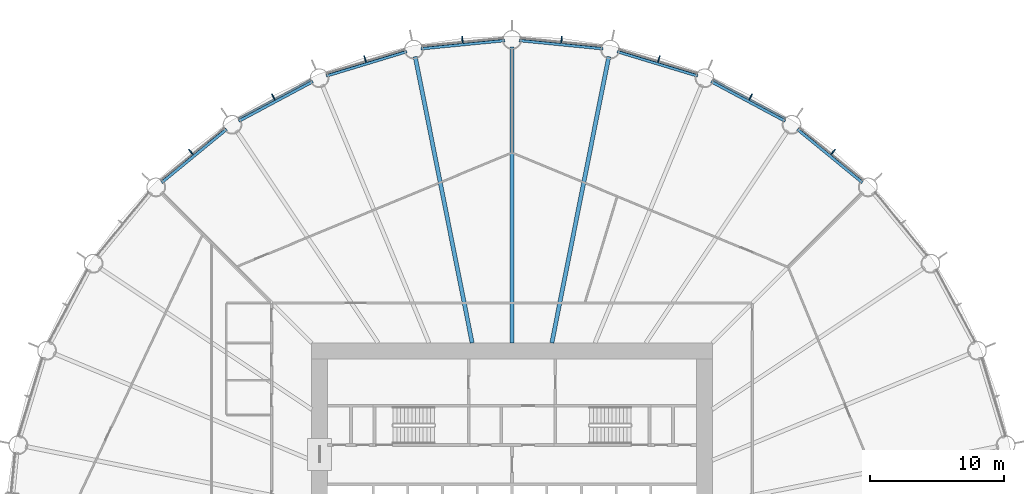
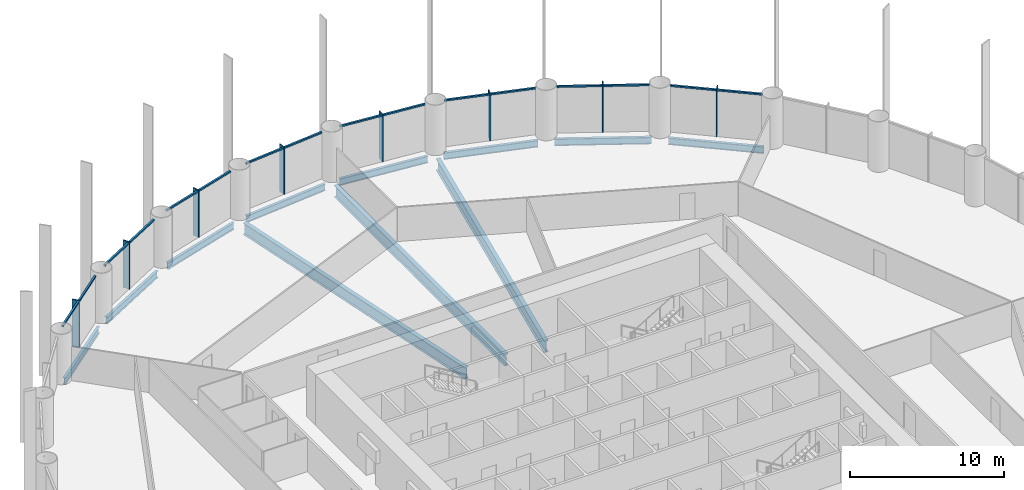
# One storey, part 6 of 15: 24 members, 11 beams, 8 elements without a shape of their own.
"""IFC4 building model written with IfcOpenShell, lengths in metres."""

from ifc_helpers import new_model, si_unit, direction, frame, origin, origin_2d, place, context, subcontext, project, spatial, rectangle, i_section, extrude, material, material_profile, profile_set, type_object, element, aggregate, save


model = new_model("IFC4")

# Units and contexts
model_context = context("Model", 3, precision=1e-05, world=origin(), true_north=direction((0.0, 1.0)))
body_context = subcontext(model_context, "Body", "Model", "MODEL_VIEW")
ifc_project = project(units=[si_unit("LENGTHUNIT", "METRE"), si_unit("AREAUNIT", "SQUARE_METRE"), si_unit("VOLUMEUNIT", "CUBIC_METRE"), si_unit("PLANEANGLEUNIT", "RADIAN"), si_unit("MASSUNIT", "GRAM", prefix="KILO")], contexts=[model_context])

# Site, building, storey
site_placement = place(None, origin())
site = spatial("IfcSite", under=ifc_project, at=site_placement, CompositionType="ELEMENT")
building_placement = place(site_placement, origin())
building = spatial("IfcBuilding", under=site, at=building_placement, Name="Corvane Civic Tower", CompositionType="ELEMENT")
storey_placement = place(building_placement, frame((0.0, 0.0, 65.0)))
storey = spatial("IfcBuildingStorey", under=building, at=storey_placement, Name="L14", CompositionType="ELEMENT", Elevation=65.0)

# Beams
ifc_material_1 = material(Name="Steel ASTM A992 Gr 50", Category="steel")
ifc_material_profile_1 = material_profile(ifc_material_1, i_section(OverallWidth=0.209228515625, OverallDepth=0.533447265625, WebThickness=0.01025390625, FlangeThickness=0.015625, at=origin_2d()), Name="W21X62")
ifc_profile_set_1 = profile_set([ifc_material_profile_1], Name="Steel ASTM A992 Gr 50")
beam_type_1 = type_object("IfcBeamType", Name="EDGE BEAM W21X62", PredefinedType="BEAM", material=ifc_profile_set_1)
beam_1_placement = place(storey_placement, frame((0.54736328125, 37.64599609375, -0.566650390625), z_axis=(0.995186682089, -0.097997284622, 0.0), x_axis=(0.097997284622, 0.995186682089, 0.0)))
element("IfcBeam", 1, at=beam_1_placement, inside=storey, type_object=beam_type_1, Name="BM-L14-E01", PredefinedType="BEAM", context=body_context, shape_type="SweptSolid", body=[
    extrude(i_section(OverallWidth=0.209228515625, OverallDepth=0.533447265625, WebThickness=0.01025390625, FlangeThickness=0.015625, at=origin_2d()), origin(), (0.0, 0.0, 1.0), 6.29052734375),
])
for number, where, z_axis, x_axis, name in (
    (2, (7.88134765625, 36.81591796875, -0.566650390625), (0.956943740748, -0.290273452184, 0.0), (0.290273452184, 0.956943740748, 0.0), "BM-L14-E02"),
    (3, (14.912353515625, 34.571044921875, -0.566650390625), (0.881916367906, -0.471405897311, 0.0), (0.471405897311, 0.881916367906, 0.0), "BM-L14-E03"),
):
    element("IfcBeam", number, at=place(storey_placement, frame(where, z_axis=z_axis, x_axis=x_axis)), inside=storey, type_object=beam_type_1, Name=name, PredefinedType="BEAM", context=body_context, shape_type="SweptSolid", body=[
        extrude(i_section(OverallWidth=0.209228515625, OverallDepth=0.533447265625, WebThickness=0.01025390625, FlangeThickness=0.015625, at=origin_2d()), origin(), (0.0, 0.0, 1.0), 6.290283203125),
    ])
for number, where, z_axis, x_axis, name in (
    (4, (21.3701171875, 30.99755859375, -0.566650390625), (0.773015785286, -0.634386787141, 0.0), (0.634386787141, 0.773015785286, 0.0), "BM-L14-E04"),
    (5, (-26.23291015625, 27.0068359375, -0.566650390625), (0.773015785286, 0.634386787141, 0.0), (-0.634386787141, 0.773015785286, 0.0), "BM-L14-E29"),
):
    element("IfcBeam", number, at=place(storey_placement, frame(where, z_axis=z_axis, x_axis=x_axis)), inside=storey, type_object=beam_type_1, Name=name, PredefinedType="BEAM", context=body_context, shape_type="SweptSolid", body=[
        extrude(i_section(OverallWidth=0.209228515625, OverallDepth=0.533447265625, WebThickness=0.01025390625, FlangeThickness=0.015625, at=origin_2d()), origin(), (0.0, 0.0, 1.0), 6.290771484375),
    ])
for number, where, z_axis, x_axis, name in (
    (6, (-20.4599609375, 31.605712890625, -0.566650390625), (0.881916367906, 0.471405897311, 0.0), (-0.471405897311, 0.881916367906, 0.0), "BM-L14-E30"),
    (7, (-13.90087890625, 34.989990234375, -0.566650390625), (0.956943740748, 0.290273452184, 0.0), (-0.290273452184, 0.956943740748, 0.0), "BM-L14-E31"),
):
    element("IfcBeam", number, at=place(storey_placement, frame(where, z_axis=z_axis, x_axis=x_axis)), inside=storey, type_object=beam_type_1, Name=name, PredefinedType="BEAM", context=body_context, shape_type="SweptSolid", body=[
        extrude(i_section(OverallWidth=0.209228515625, OverallDepth=0.533447265625, WebThickness=0.01025390625, FlangeThickness=0.015625, at=origin_2d()), origin(), (0.0, 0.0, 1.0), 6.290283203125),
    ])
beam_2_placement = place(storey_placement, frame((-6.8076171875, 37.029541015625, -0.566650390625), z_axis=(0.995186682089, 0.097997284622, 0.0), x_axis=(-0.097997284622, 0.995186682089, 0.0)))
element("IfcBeam", 8, at=beam_2_placement, inside=storey, type_object=beam_type_1, Name="BM-L14-E32", PredefinedType="BEAM", context=body_context, shape_type="SweptSolid", body=[
    extrude(i_section(OverallWidth=0.209228515625, OverallDepth=0.533447265625, WebThickness=0.01025390625, FlangeThickness=0.015625, at=origin_2d()), origin(), (0.0, 0.0, 1.0), 6.29052734375),
])
ifc_material_2 = material(Name="Steel ASTM A992 Gr 50", Category="steel")
ifc_material_profile_2 = material_profile(ifc_material_2, i_section(OverallWidth=0.307373046875, OverallDepth=0.927001953125, WebThickness=0.01953125, FlangeThickness=0.031982421875, at=origin_2d()), Name="W36X194")
ifc_profile_set_2 = profile_set([ifc_material_profile_2], Name="Steel ASTM A992 Gr 50")
beam_type_2 = type_object("IfcBeamType", Name="FLOOR GIRDER W36X194", PredefinedType="BEAM", material=ifc_profile_set_2)
beam_3_placement = place(storey_placement, frame((0.0, 15.0, -0.763671875), z_axis=(0.0, 1.0, 0.0), x_axis=(-1.0, 0.0, 0.0)))
element("IfcBeam", 9, at=beam_3_placement, inside=storey, type_object=beam_type_2, Name="BM-L14-G01", PredefinedType="BEAM", context=body_context, shape_type="SweptSolid", body=[
    extrude(i_section(OverallWidth=0.307373046875, OverallDepth=0.927001953125, WebThickness=0.01953125, FlangeThickness=0.031982421875, at=origin_2d()), origin(), (0.0, 0.0, 1.0), 22.14990234375),
])
for number, where, z_axis, x_axis, name in (
    (10, (2.983642578125, 15.0, -0.763671875), (0.195089219638, 0.980785499679, 0.0), (-0.980785499679, 0.195089219638, 0.0), "BM-L14-G02"),
    (11, (-2.983642578125, 15.0, -0.763671875), (-0.195089219638, 0.980785499679, 0.0), (-0.980785499679, -0.195089219638, 0.0), "BM-L14-G32"),
):
    element("IfcBeam", number, at=place(storey_placement, frame(where, z_axis=z_axis, x_axis=x_axis)), inside=storey, type_object=beam_type_2, Name=name, PredefinedType="BEAM", context=body_context, shape_type="SweptSolid", body=[
        extrude(i_section(OverallWidth=0.307373046875, OverallDepth=0.927001953125, WebThickness=0.01953125, FlangeThickness=0.031982421875, at=origin_2d()), origin(), (0.0, 0.0, 1.0), 21.856201171875),
    ])

# Curtain wall, members
ifc_material_3 = material(Name="Anodised aluminium bronze", Category="aluminium")
curtain_wall_type = type_object("IfcCurtainWallType", Name="TOWER CW-T1 STICK CURTAIN WALL", PredefinedType="NOTDEFINED", material=ifc_material_3)
curtain_wall_1_placement = place(storey_placement, origin())
curtain_wall_1 = element("IfcCurtainWall", 12, at=curtain_wall_1_placement, inside=storey, type_object=curtain_wall_type, Name="Curtain wall CW-T1 L14 bay 01", PredefinedType="NOTDEFINED")
ifc_material_4 = material(Name="Anodised aluminium bronze", Category="aluminium")
ifc_material_profile_3 = material_profile(ifc_material_4, rectangle(XDim=0.139892578125, YDim=0.1201171875, at=origin_2d()), Name="TOWER CW-T1 TRANSOM 140x120")
ifc_profile_set_3 = profile_set([ifc_material_profile_3], Name="Anodised aluminium bronze")
member_type_1 = type_object("IfcMemberType", Name="TOWER CW-T1 TRANSOM 140x120", PredefinedType="USERDEFINED", material=ifc_profile_set_3)
member_1_placement = place(storey_placement, frame((0.6611328125, 37.814697265625, 3.68994140625), z_axis=(0.995191836722, -0.097944923917, 0.0), x_axis=(0.097944923917, 0.995191836722, 0.0)))
member_1 = element("IfcMember", 13, at=member_1_placement, type_object=member_type_1, Name="Transom CW-T1 L14 01.1", ObjectType="TRANSOM", PredefinedType="USERDEFINED", context=body_context, shape_type="SweptSolid", body=[
    extrude(rectangle(XDim=0.139892578125, YDim=0.1201171875, at=origin_2d()), origin(), (0.0, 0.0, 1.0), 3.008544921875),
])
member_2_placement = place(storey_placement, frame((3.73486328125, 37.511962890625, 3.68994140625), z_axis=(0.995191836722, -0.097944923917, 0.0), x_axis=(0.097944923917, 0.995191836722, 0.0)))
member_2 = element("IfcMember", 14, at=member_2_placement, type_object=member_type_1, Name="Transom CW-T1 L14 01.2", ObjectType="TRANSOM", PredefinedType="USERDEFINED", context=body_context, shape_type="SweptSolid", body=[
    extrude(rectangle(XDim=0.139892578125, YDim=0.1201171875, at=origin_2d()), origin(), (0.0, 0.0, 1.0), 3.008544921875),
])

curtain_wall_2_placement = place(storey_placement, origin())
curtain_wall_2 = element("IfcCurtainWall", 15, at=curtain_wall_2_placement, inside=storey, type_object=curtain_wall_type, Name="Curtain wall CW-T1 L14 bay 02", PredefinedType="NOTDEFINED")
member_3_placement = place(storey_placement, frame((8.02587890625, 36.959228515625, 3.68994140625), z_axis=(0.956941780555, -0.290279914268, 0.0), x_axis=(0.290279914268, 0.956941780555, 0.0)))
member_3 = element("IfcMember", 16, at=member_3_placement, type_object=member_type_1, Name="Transom CW-T1 L14 02.1", ObjectType="TRANSOM", PredefinedType="USERDEFINED", context=body_context, shape_type="SweptSolid", body=[
    extrude(rectangle(XDim=0.139892578125, YDim=0.1201171875, at=origin_2d()), origin(), (0.0, 0.0, 1.0), 3.008544921875),
])
member_4_placement = place(storey_placement, frame((10.9814453125, 36.062744140625, 3.68994140625), z_axis=(0.956941780555, -0.290279914268, 0.0), x_axis=(0.290279914268, 0.956941780555, 0.0)))
member_4 = element("IfcMember", 17, at=member_4_placement, type_object=member_type_1, Name="Transom CW-T1 L14 02.2", ObjectType="TRANSOM", PredefinedType="USERDEFINED", context=body_context, shape_type="SweptSolid", body=[
    extrude(rectangle(XDim=0.139892578125, YDim=0.1201171875, at=origin_2d()), origin(), (0.0, 0.0, 1.0), 3.008544921875),
])

curtain_wall_3_placement = place(storey_placement, origin())
curtain_wall_3 = element("IfcCurtainWall", 18, at=curtain_wall_3_placement, inside=storey, type_object=curtain_wall_type, Name="Curtain wall CW-T1 L14 bay 03", PredefinedType="NOTDEFINED")
member_5_placement = place(storey_placement, frame((15.08203125, 34.683349609375, 3.68994140625), z_axis=(0.881923525532, -0.471392506424, 0.0), x_axis=(0.471392506424, 0.881923525532, 0.0)))
member_5 = element("IfcMember", 19, at=member_5_placement, type_object=member_type_1, Name="Transom CW-T1 L14 03.1", ObjectType="TRANSOM", PredefinedType="USERDEFINED", context=body_context, shape_type="SweptSolid", body=[
    extrude(rectangle(XDim=0.139892578125, YDim=0.1201171875, at=origin_2d()), origin(), (0.0, 0.0, 1.0), 3.008544921875),
])
member_6_placement = place(storey_placement, frame((17.805908203125, 33.2275390625, 3.68994140625), z_axis=(0.881923525532, -0.471392506424, 0.0), x_axis=(0.471392506424, 0.881923525532, 0.0)))
member_6 = element("IfcMember", 20, at=member_6_placement, type_object=member_type_1, Name="Transom CW-T1 L14 03.2", ObjectType="TRANSOM", PredefinedType="USERDEFINED", context=body_context, shape_type="SweptSolid", body=[
    extrude(rectangle(XDim=0.139892578125, YDim=0.1201171875, at=origin_2d()), origin(), (0.0, 0.0, 1.0), 3.008544921875),
])

curtain_wall_4_placement = place(storey_placement, origin())
curtain_wall_4 = element("IfcCurtainWall", 21, at=curtain_wall_4_placement, inside=storey, type_object=curtain_wall_type, Name="Curtain wall CW-T1 L14 bay 04", PredefinedType="NOTDEFINED")
member_7_placement = place(storey_placement, frame((21.55859375, 31.074462890625, 3.68994140625), z_axis=(0.773041738279, -0.634355161466, 0.0), x_axis=(0.634355161466, 0.773041738279, 0.0)))
member_7 = element("IfcMember", 22, at=member_7_placement, type_object=member_type_1, Name="Transom CW-T1 L14 04.1", ObjectType="TRANSOM", PredefinedType="USERDEFINED", context=body_context, shape_type="SweptSolid", body=[
    extrude(rectangle(XDim=0.139892578125, YDim=0.1201171875, at=origin_2d()), origin(), (0.0, 0.0, 1.0), 3.008544921875),
])
member_8_placement = place(storey_placement, frame((23.946044921875, 29.115234375, 3.68994140625), z_axis=(0.773001943873, -0.634403652865, 0.0), x_axis=(0.634403652865, 0.773001943873, 0.0)))
member_8 = element("IfcMember", 23, at=member_8_placement, type_object=member_type_1, Name="Transom CW-T1 L14 04.2", ObjectType="TRANSOM", PredefinedType="USERDEFINED", context=body_context, shape_type="SweptSolid", body=[
    extrude(rectangle(XDim=0.139892578125, YDim=0.1201171875, at=origin_2d()), origin(), (0.0, 0.0, 1.0), 3.008544921875),
])

curtain_wall_5_placement = place(storey_placement, origin())
curtain_wall_5 = element("IfcCurtainWall", 24, at=curtain_wall_5_placement, inside=storey, type_object=curtain_wall_type, Name="Curtain wall CW-T1 L14 bay 29", PredefinedType="NOTDEFINED")
member_9_placement = place(storey_placement, frame((-26.271728515625, 27.20654296875, 3.68994140625), z_axis=(0.773001943873, 0.634403652865, 0.0), x_axis=(-0.634403652865, 0.773001943873, 0.0)))
member_9 = element("IfcMember", 25, at=member_9_placement, type_object=member_type_1, Name="Transom CW-T1 L14 29.1", ObjectType="TRANSOM", PredefinedType="USERDEFINED", context=body_context, shape_type="SweptSolid", body=[
    extrude(rectangle(XDim=0.139892578125, YDim=0.1201171875, at=origin_2d()), origin(), (0.0, 0.0, 1.0), 3.008544921875),
])
member_10_placement = place(storey_placement, frame((-23.88427734375, 29.166015625, 3.68994140625), z_axis=(0.773041738279, 0.634355161466, 0.0), x_axis=(-0.634355161466, 0.773041738279, 0.0)))
member_10 = element("IfcMember", 26, at=member_10_placement, type_object=member_type_1, Name="Transom CW-T1 L14 29.2", ObjectType="TRANSOM", PredefinedType="USERDEFINED", context=body_context, shape_type="SweptSolid", body=[
    extrude(rectangle(XDim=0.139892578125, YDim=0.1201171875, at=origin_2d()), origin(), (0.0, 0.0, 1.0), 3.008544921875),
])

curtain_wall_6_placement = place(storey_placement, origin())
curtain_wall_6 = element("IfcCurtainWall", 27, at=curtain_wall_6_placement, inside=storey, type_object=curtain_wall_type, Name="Curtain wall CW-T1 L14 bay 30", PredefinedType="NOTDEFINED")
member_11_placement = place(storey_placement, frame((-20.459228515625, 31.809326171875, 3.68994140625), z_axis=(0.881923525532, 0.471392506424, 0.0), x_axis=(-0.471392506424, 0.881923525532, 0.0)))
member_11 = element("IfcMember", 28, at=member_11_placement, type_object=member_type_1, Name="Transom CW-T1 L14 30.1", ObjectType="TRANSOM", PredefinedType="USERDEFINED", context=body_context, shape_type="SweptSolid", body=[
    extrude(rectangle(XDim=0.139892578125, YDim=0.1201171875, at=origin_2d()), origin(), (0.0, 0.0, 1.0), 3.008544921875),
])
member_12_placement = place(storey_placement, frame((-17.7353515625, 33.26513671875, 3.68994140625), z_axis=(0.881923525532, 0.471392506424, 0.0), x_axis=(-0.471392506424, 0.881923525532, 0.0)))
member_12 = element("IfcMember", 29, at=member_12_placement, type_object=member_type_1, Name="Transom CW-T1 L14 30.2", ObjectType="TRANSOM", PredefinedType="USERDEFINED", context=body_context, shape_type="SweptSolid", body=[
    extrude(rectangle(XDim=0.139892578125, YDim=0.1201171875, at=origin_2d()), origin(), (0.0, 0.0, 1.0), 3.008544921875),
])

curtain_wall_7_placement = place(storey_placement, origin())
curtain_wall_7 = element("IfcCurtainWall", 30, at=curtain_wall_7_placement, inside=storey, type_object=curtain_wall_type, Name="Curtain wall CW-T1 L14 bay 31", PredefinedType="NOTDEFINED")
member_13_placement = place(storey_placement, frame((-13.8603515625, 35.189453125, 3.68994140625), z_axis=(0.956941780555, 0.290279914268, 0.0), x_axis=(-0.290279914268, 0.956941780555, 0.0)))
member_13 = element("IfcMember", 31, at=member_13_placement, type_object=member_type_1, Name="Transom CW-T1 L14 31.1", ObjectType="TRANSOM", PredefinedType="USERDEFINED", context=body_context, shape_type="SweptSolid", body=[
    extrude(rectangle(XDim=0.139892578125, YDim=0.1201171875, at=origin_2d()), origin(), (0.0, 0.0, 1.0), 3.008544921875),
])
member_14_placement = place(storey_placement, frame((-10.90478515625, 36.0859375, 3.68994140625), z_axis=(0.956941780555, 0.290279914268, 0.0), x_axis=(-0.290279914268, 0.956941780555, 0.0)))
member_14 = element("IfcMember", 32, at=member_14_placement, type_object=member_type_1, Name="Transom CW-T1 L14 31.2", ObjectType="TRANSOM", PredefinedType="USERDEFINED", context=body_context, shape_type="SweptSolid", body=[
    extrude(rectangle(XDim=0.139892578125, YDim=0.1201171875, at=origin_2d()), origin(), (0.0, 0.0, 1.0), 3.008544921875),
])

curtain_wall_8_placement = place(storey_placement, origin())
curtain_wall_8 = element("IfcCurtainWall", 33, at=curtain_wall_8_placement, inside=storey, type_object=curtain_wall_type, Name="Curtain wall CW-T1 L14 bay 32", PredefinedType="NOTDEFINED")
member_15_placement = place(storey_placement, frame((-6.72900390625, 37.21728515625, 3.68994140625), z_axis=(0.995191836722, 0.097944923917, 0.0), x_axis=(-0.097944923917, 0.995191836722, 0.0)))
member_15 = element("IfcMember", 34, at=member_15_placement, type_object=member_type_1, Name="Transom CW-T1 L14 32.1", ObjectType="TRANSOM", PredefinedType="USERDEFINED", context=body_context, shape_type="SweptSolid", body=[
    extrude(rectangle(XDim=0.139892578125, YDim=0.1201171875, at=origin_2d()), origin(), (0.0, 0.0, 1.0), 3.008544921875),
])
member_16_placement = place(storey_placement, frame((-3.6552734375, 37.52001953125, 3.68994140625), z_axis=(0.995191836722, 0.097944923917, 0.0), x_axis=(-0.097944923917, 0.995191836722, 0.0)))
member_16 = element("IfcMember", 35, at=member_16_placement, type_object=member_type_1, Name="Transom CW-T1 L14 32.2", ObjectType="TRANSOM", PredefinedType="USERDEFINED", context=body_context, shape_type="SweptSolid", body=[
    extrude(rectangle(XDim=0.139892578125, YDim=0.1201171875, at=origin_2d()), origin(), (0.0, 0.0, 1.0), 3.008544921875),
])

# Member
ifc_material_5 = material(Name="Anodised aluminium bronze", Category="aluminium")
ifc_material_profile_4 = material_profile(ifc_material_5, rectangle(XDim=0.080078125, YDim=0.5, at=origin_2d()), Name="TOWER FIN MULLION 80x500 BRONZE")
ifc_profile_set_4 = profile_set([ifc_material_profile_4], Name="Anodised aluminium bronze")
member_type_2 = type_object("IfcMemberType", Name="TOWER FIN MULLION 80x500 BRONZE", PredefinedType="MULLION", material=ifc_profile_set_4)
member_17_placement = place(storey_placement, frame((3.714599609375, 37.715087890625, 0.0), z_axis=(0.0, 0.0, 1.0), x_axis=(0.995185800248, -0.098006239521, 0.0)))
member_17 = element("IfcMember", 36, at=member_17_placement, type_object=member_type_2, Name="Fin mullion 01 L14", PredefinedType="MULLION", context=body_context, shape_type="SweptSolid", body=[
    extrude(rectangle(XDim=0.080078125, YDim=0.5, at=origin_2d()), origin(), (0.0, 0.0, 1.0), 3.75),
])

aggregate(curtain_wall_1, [member_17, member_1, member_2])

member_18_placement = place(storey_placement, frame((11.001220703125, 36.265625, 0.0), z_axis=(0.0, 0.0, 1.0), x_axis=(0.956942240606, -0.290278397654, 0.0)))
member_18 = element("IfcMember", 37, at=member_18_placement, type_object=member_type_2, Name="Fin mullion 02 L14", PredefinedType="MULLION", context=body_context, shape_type="SweptSolid", body=[
    extrude(rectangle(XDim=0.080078125, YDim=0.5, at=origin_2d()), origin(), (0.0, 0.0, 1.0), 3.75),
])

aggregate(curtain_wall_2, [member_18, member_3, member_4])

member_19_placement = place(storey_placement, frame((17.86474609375, 33.422607421875, 0.0), z_axis=(0.0, 0.0, 1.0), x_axis=(0.881917528864, -0.471403725359, 0.0)))
member_19 = element("IfcMember", 38, at=member_19_placement, type_object=member_type_2, Name="Fin mullion 03 L14", PredefinedType="MULLION", context=body_context, shape_type="SweptSolid", body=[
    extrude(rectangle(XDim=0.080078125, YDim=0.5, at=origin_2d()), origin(), (0.0, 0.0, 1.0), 3.75),
])

aggregate(curtain_wall_3, [member_19, member_5, member_6])

member_20_placement = place(storey_placement, frame((24.0419921875, 29.295166015625, 0.0), z_axis=(0.0, 0.0, 1.0), x_axis=(0.773007224463, -0.634397218569, 0.0)))
member_20 = element("IfcMember", 39, at=member_20_placement, type_object=member_type_2, Name="Fin mullion 04 L14", PredefinedType="MULLION", context=body_context, shape_type="SweptSolid", body=[
    extrude(rectangle(XDim=0.080078125, YDim=0.5, at=origin_2d()), origin(), (0.0, 0.0, 1.0), 3.75),
])

aggregate(curtain_wall_4, [member_20, member_7, member_8])

member_21_placement = place(storey_placement, frame((-24.0419921875, 29.295166015625, 0.0), z_axis=(0.0, 0.0, 1.0), x_axis=(0.773007224463, 0.634397218569, 0.0)))
member_21 = element("IfcMember", 40, at=member_21_placement, type_object=member_type_2, Name="Fin mullion 29 L14", PredefinedType="MULLION", context=body_context, shape_type="SweptSolid", body=[
    extrude(rectangle(XDim=0.080078125, YDim=0.5, at=origin_2d()), origin(), (0.0, 0.0, 1.0), 3.75),
])

aggregate(curtain_wall_5, [member_21, member_9, member_10])

member_22_placement = place(storey_placement, frame((-17.86474609375, 33.422607421875, 0.0), z_axis=(0.0, 0.0, 1.0), x_axis=(0.881917528864, 0.471403725359, 0.0)))
member_22 = element("IfcMember", 41, at=member_22_placement, type_object=member_type_2, Name="Fin mullion 30 L14", PredefinedType="MULLION", context=body_context, shape_type="SweptSolid", body=[
    extrude(rectangle(XDim=0.080078125, YDim=0.5, at=origin_2d()), origin(), (0.0, 0.0, 1.0), 3.75),
])

aggregate(curtain_wall_6, [member_22, member_11, member_12])

member_23_placement = place(storey_placement, frame((-11.001220703125, 36.265625, 0.0), z_axis=(0.0, 0.0, 1.0), x_axis=(0.956942240606, 0.290278397654, 0.0)))
member_23 = element("IfcMember", 42, at=member_23_placement, type_object=member_type_2, Name="Fin mullion 31 L14", PredefinedType="MULLION", context=body_context, shape_type="SweptSolid", body=[
    extrude(rectangle(XDim=0.080078125, YDim=0.5, at=origin_2d()), origin(), (0.0, 0.0, 1.0), 3.75),
])

aggregate(curtain_wall_7, [member_23, member_13, member_14])

member_24_placement = place(storey_placement, frame((-3.714599609375, 37.715087890625, 0.0), z_axis=(0.0, 0.0, 1.0), x_axis=(0.995185800248, 0.098006239521, 0.0)))
member_24 = element("IfcMember", 43, at=member_24_placement, type_object=member_type_2, Name="Fin mullion 32 L14", PredefinedType="MULLION", context=body_context, shape_type="SweptSolid", body=[
    extrude(rectangle(XDim=0.080078125, YDim=0.5, at=origin_2d()), origin(), (0.0, 0.0, 1.0), 3.75),
])

aggregate(curtain_wall_8, [member_24, member_15, member_16])

save(model, "model.ifc")
